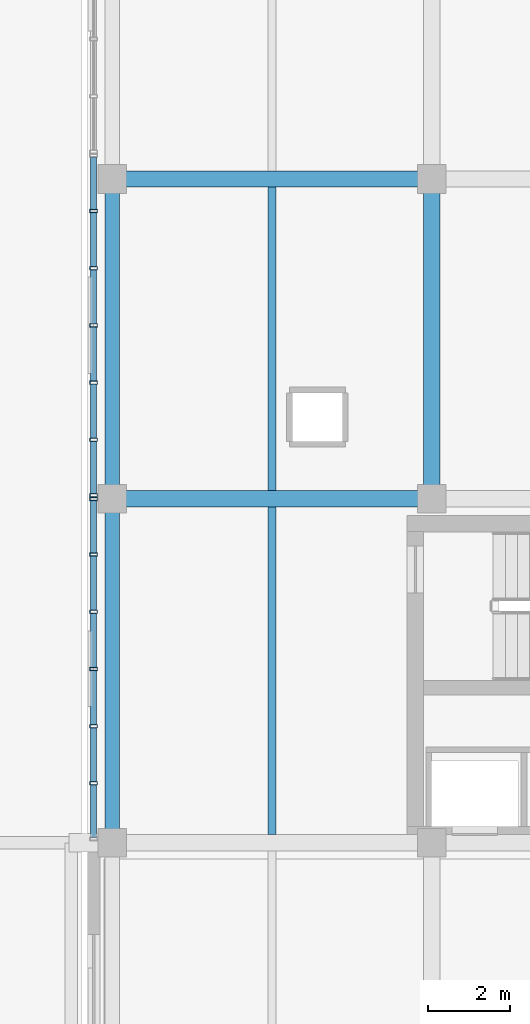
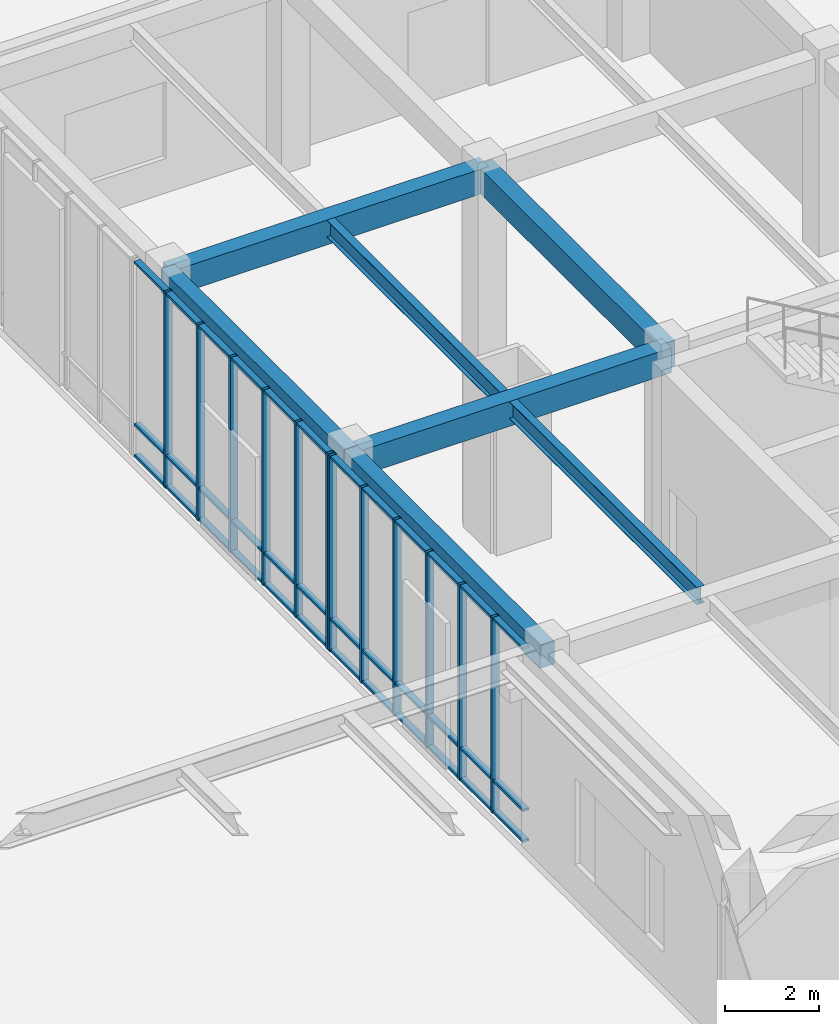
# One storey, part 60 of 122: 48 members, 7 beams, 2 elements without a shape of their own.
"""IFC4 building model written with IfcOpenShell, lengths in metres."""

from ifc_helpers import new_model, si_unit, direction, frame, origin, origin_2d, place, context, subcontext, project, spatial, rectangle, hollow_rectangle, i_section, extrude, material, layer, layer_set, material_profile, profile_set, type_object, element, aggregate, save


model = new_model("IFC4")

# Units and contexts
model_context = context("Model", 3, precision=1e-05, world=origin(), true_north=direction((0.0, 1.0)))
body_context = subcontext(model_context, "Body", "Model", "MODEL_VIEW")
ifc_project = project(units=[si_unit("LENGTHUNIT", "METRE"), si_unit("AREAUNIT", "SQUARE_METRE"), si_unit("VOLUMEUNIT", "CUBIC_METRE"), si_unit("PLANEANGLEUNIT", "RADIAN"), si_unit("MASSUNIT", "GRAM", prefix="KILO")], contexts=[model_context])

# Site, building, storey
site_placement = place(None, origin())
site = spatial("IfcSite", under=ifc_project, at=site_placement, CompositionType="ELEMENT")
building_placement = place(site_placement, origin())
building = spatial("IfcBuilding", under=site, at=building_placement, Name="Zayran Congress Hotel", CompositionType="ELEMENT")
storey_placement = place(building_placement, origin())
storey = spatial("IfcBuildingStorey", under=building, at=storey_placement, Name="L00", CompositionType="ELEMENT", Elevation=0.0)

# Beams
ifc_material_1 = material(Name="Concrete C40/50", Category="concrete")
ifc_material_profile_1 = material_profile(ifc_material_1, rectangle(XDim=0.39990234375, YDim=0.64990234375, at=origin_2d()), Name="RC 400x650")
ifc_profile_set_1 = profile_set([ifc_material_profile_1], Name="Concrete C40/50")
beam_type_1 = type_object("IfcBeamType", Name="TP-BM-03", PredefinedType="BEAM", material=ifc_profile_set_1)
for number, where, z_axis, x_axis, name in (
    (1, (109.800048828125, 92.800048828125, 4.77490234375), (1.0, 0.0, 0.0), (0.0, 1.0, 0.0), "BM-V4-L00-1230"),
    (2, (109.800048828125, 100.60009765625, 4.77490234375), (1.0, 0.0, 0.0), (0.0, 1.0, 0.0), "BM-V4-L00-1234"),
    (3, (117.60009765625, 92.800048828125, 4.77490234375), (0.0, 1.0, 0.0), (-1.0, 0.0, 0.0), "BM-V4-L00-1254"),
):
    element("IfcBeam", number, at=place(storey_placement, frame(where, z_axis=z_axis, x_axis=x_axis)), inside=storey, type_object=beam_type_1, Name=name, PredefinedType="BEAM", context=body_context, shape_type="SweptSolid", body=[
        extrude(rectangle(XDim=0.39990234375, YDim=0.64990234375, at=origin_2d()), origin(), (0.0, 0.0, 1.0), 7.800048828125),
    ])
ifc_material_profile_2 = material_profile(ifc_material_1, rectangle(XDim=0.35009765625, YDim=0.60009765625, at=origin_2d()), Name="RC 350x600")
ifc_profile_set_2 = profile_set([ifc_material_profile_2], Name="Concrete C40/50")
beam_type_2 = type_object("IfcBeamType", Name="TP-SP-01", PredefinedType="SPANDREL", material=ifc_profile_set_2)
beam_1_placement = place(storey_placement, frame((109.800048828125, 84.39990234375, 4.800048828125), z_axis=(0.0, 1.0, 0.0), x_axis=(-1.0, 0.0, 0.0)))
element("IfcBeam", 4, at=beam_1_placement, inside=storey, type_object=beam_type_2, Name="BM-V4-L00-1247", PredefinedType="SPANDREL", context=body_context, shape_type="SweptSolid", body=[
    extrude(rectangle(XDim=0.35009765625, YDim=0.60009765625, at=origin_2d()), origin(), (0.0, 0.0, 1.0), 8.400146484375),
])
beam_2_placement = place(storey_placement, frame((109.800048828125, 92.800048828125, 4.800048828125), z_axis=(0.0, 1.0, 0.0), x_axis=(-1.0, 0.0, 0.0)))
element("IfcBeam", 5, at=beam_2_placement, inside=storey, type_object=beam_type_2, Name="BM-V4-L00-1248", PredefinedType="SPANDREL", context=body_context, shape_type="SweptSolid", body=[
    extrude(rectangle(XDim=0.35009765625, YDim=0.60009765625, at=origin_2d()), origin(), (0.0, 0.0, 1.0), 7.800048828125),
])
ifc_material_2 = material(Name="Steel S355", Category="steel")
ifc_material_profile_3 = material_profile(ifc_material_2, i_section(OverallWidth=0.18994140625, OverallDepth=0.449951171875, WebThickness=0.009521484375, FlangeThickness=0.0146484375, at=origin_2d()), Name="IPE 450")
ifc_profile_set_3 = profile_set([ifc_material_profile_3], Name="Steel S355")
beam_type_3 = type_object("IfcBeamType", Name="TP-JS-02", PredefinedType="JOIST", material=ifc_profile_set_3)
beam_3_placement = place(storey_placement, frame((113.699951171875, 84.60009765625, 4.875), z_axis=(0.0, 1.0, 0.0), x_axis=(-1.0, 0.0, 0.0)))
element("IfcBeam", 6, at=beam_3_placement, inside=storey, type_object=beam_type_3, Name="JST-V4-L00-1285", PredefinedType="JOIST", context=body_context, shape_type="SweptSolid", body=[
    extrude(i_section(OverallWidth=0.18994140625, OverallDepth=0.449951171875, WebThickness=0.009521484375, FlangeThickness=0.0146484375, at=origin_2d()), origin(), (0.0, 0.0, 1.0), 8.0),
])
beam_4_placement = place(storey_placement, frame((113.699951171875, 93.0, 4.875), z_axis=(0.0, 1.0, 0.0), x_axis=(-1.0, 0.0, 0.0)))
element("IfcBeam", 7, at=beam_4_placement, inside=storey, type_object=beam_type_3, Name="JST-V4-L00-1286", PredefinedType="JOIST", context=body_context, shape_type="SweptSolid", body=[
    extrude(i_section(OverallWidth=0.18994140625, OverallDepth=0.449951171875, WebThickness=0.009521484375, FlangeThickness=0.0146484375, at=origin_2d()), origin(), (0.0, 0.0, 1.0), 7.39990234375),
])

# Curtain wall, members
ifc_material_3 = material(Name="Anodised aluminium and low-E insulated glass", Category="aluminium")
ifc_layer_1 = layer(ifc_material_3, 0.179931640625)
ifc_layer_set_1 = layer_set([ifc_layer_1], Name="Anodised aluminium and low-E insulated glass")
curtain_wall_type_1 = type_object("IfcCurtainWallType", Name="CW-V4W-L00-CW-53-8376-5100", PredefinedType="USERDEFINED", material=ifc_layer_set_1)
curtain_wall_1_placement = place(storey_placement, origin())
curtain_wall_1 = element("IfcCurtainWall", 8, at=curtain_wall_1_placement, inside=storey, type_object=curtain_wall_type_1, Name="CW-V4W-L00-5", ObjectType="CURTAIN WALL", PredefinedType="USERDEFINED")
ifc_material_4 = material(Name="Anodised aluminium framing", Category="aluminium")
ifc_material_profile_4 = material_profile(ifc_material_4, hollow_rectangle(XDim=0.080078125, YDim=0.179931640625, WallThickness=0.0048828125, at=origin_2d()), Name="RHS 180x80x5")
ifc_profile_set_4 = profile_set([ifc_material_profile_4], Name="Anodised aluminium framing")
member_type_1 = type_object("IfcMemberType", Name="TP-CWM-01", PredefinedType="MULLION", material=ifc_profile_set_4)
member_1_placement = place(storey_placement, frame((109.35009765625, 92.7919921875, 0.0), z_axis=(0.0, 0.0, 1.0), x_axis=(0.0, 1.0, 0.0)))
member_1 = element("IfcMember", 9, at=member_1_placement, type_object=member_type_1, Name="CW-V4W-L00-5-M00", PredefinedType="MULLION", context=body_context, shape_type="SweptSolid", body=[
    extrude(hollow_rectangle(XDim=0.080078125, YDim=0.179931640625, WallThickness=0.0048828125, at=origin_2d()), origin(), (0.0, 0.0, 1.0), 5.10009765625),
])
member_2_placement = place(storey_placement, frame((109.35009765625, 91.43603515625, 0.0), z_axis=(0.0, 0.0, 1.0), x_axis=(0.0, 1.0, 0.0)))
member_2 = element("IfcMember", 10, at=member_2_placement, type_object=member_type_1, Name="CW-V4W-L00-5-M01", PredefinedType="MULLION", context=body_context, shape_type="SweptSolid", body=[
    extrude(hollow_rectangle(XDim=0.080078125, YDim=0.179931640625, WallThickness=0.0048828125, at=origin_2d()), origin(), (0.0, 0.0, 1.0), 5.10009765625),
])
member_3_placement = place(storey_placement, frame((109.35009765625, 90.0400390625, 0.0), z_axis=(0.0, 0.0, 1.0), x_axis=(0.0, 1.0, 0.0)))
member_3 = element("IfcMember", 11, at=member_3_placement, type_object=member_type_1, Name="CW-V4W-L00-5-M02", PredefinedType="MULLION", context=body_context, shape_type="SweptSolid", body=[
    extrude(hollow_rectangle(XDim=0.080078125, YDim=0.179931640625, WallThickness=0.0048828125, at=origin_2d()), origin(), (0.0, 0.0, 1.0), 5.10009765625),
])
member_4_placement = place(storey_placement, frame((109.35009765625, 88.64404296875, 0.0), z_axis=(0.0, 0.0, 1.0), x_axis=(0.0, 1.0, 0.0)))
member_4 = element("IfcMember", 12, at=member_4_placement, type_object=member_type_1, Name="CW-V4W-L00-5-M03", PredefinedType="MULLION", context=body_context, shape_type="SweptSolid", body=[
    extrude(hollow_rectangle(XDim=0.080078125, YDim=0.179931640625, WallThickness=0.0048828125, at=origin_2d()), origin(), (0.0, 0.0, 1.0), 5.10009765625),
])
member_5_placement = place(storey_placement, frame((109.35009765625, 87.248046875, 0.0), z_axis=(0.0, 0.0, 1.0), x_axis=(0.0, 1.0, 0.0)))
member_5 = element("IfcMember", 13, at=member_5_placement, type_object=member_type_1, Name="CW-V4W-L00-5-M04", PredefinedType="MULLION", context=body_context, shape_type="SweptSolid", body=[
    extrude(hollow_rectangle(XDim=0.080078125, YDim=0.179931640625, WallThickness=0.0048828125, at=origin_2d()), origin(), (0.0, 0.0, 1.0), 5.10009765625),
])
member_6_placement = place(storey_placement, frame((109.35009765625, 85.85205078125, 0.0), z_axis=(0.0, 0.0, 1.0), x_axis=(0.0, 1.0, 0.0)))
member_6 = element("IfcMember", 14, at=member_6_placement, type_object=member_type_1, Name="CW-V4W-L00-5-M05", PredefinedType="MULLION", context=body_context, shape_type="SweptSolid", body=[
    extrude(hollow_rectangle(XDim=0.080078125, YDim=0.179931640625, WallThickness=0.0048828125, at=origin_2d()), origin(), (0.0, 0.0, 1.0), 5.10009765625),
])

ifc_layer_2 = layer(ifc_material_3, 0.179931640625)
ifc_layer_set_2 = layer_set([ifc_layer_2], Name="Anodised aluminium and low-E insulated glass")
curtain_wall_type_2 = type_object("IfcCurtainWallType", Name="CW-V4W-L00-CW-51-8372-5100", PredefinedType="USERDEFINED", material=ifc_layer_set_2)
curtain_wall_2_placement = place(storey_placement, origin())
curtain_wall_2 = element("IfcCurtainWall", 15, at=curtain_wall_2_placement, inside=storey, type_object=curtain_wall_type_2, Name="CW-V4W-L00-6", ObjectType="CURTAIN WALL", PredefinedType="USERDEFINED")
member_7_placement = place(storey_placement, frame((109.35009765625, 99.818603515625, 0.0), z_axis=(0.0, 0.0, 1.0), x_axis=(0.0, 1.0, 0.0)))
member_7 = element("IfcMember", 16, at=member_7_placement, type_object=member_type_1, Name="CW-V4W-L00-6-M01", PredefinedType="MULLION", context=body_context, shape_type="SweptSolid", body=[
    extrude(hollow_rectangle(XDim=0.080078125, YDim=0.179931640625, WallThickness=0.0048828125, at=origin_2d()), origin(), (0.0, 0.0, 1.0), 5.10009765625),
])
member_8_placement = place(storey_placement, frame((109.35009765625, 98.42333984375, 0.0), z_axis=(0.0, 0.0, 1.0), x_axis=(0.0, 1.0, 0.0)))
member_8 = element("IfcMember", 17, at=member_8_placement, type_object=member_type_1, Name="CW-V4W-L00-6-M02", PredefinedType="MULLION", context=body_context, shape_type="SweptSolid", body=[
    extrude(hollow_rectangle(XDim=0.080078125, YDim=0.179931640625, WallThickness=0.0048828125, at=origin_2d()), origin(), (0.0, 0.0, 1.0), 5.10009765625),
])
member_9_placement = place(storey_placement, frame((109.35009765625, 97.028076171875, 0.0), z_axis=(0.0, 0.0, 1.0), x_axis=(0.0, 1.0, 0.0)))
member_9 = element("IfcMember", 18, at=member_9_placement, type_object=member_type_1, Name="CW-V4W-L00-6-M03", PredefinedType="MULLION", context=body_context, shape_type="SweptSolid", body=[
    extrude(hollow_rectangle(XDim=0.080078125, YDim=0.179931640625, WallThickness=0.0048828125, at=origin_2d()), origin(), (0.0, 0.0, 1.0), 5.10009765625),
])
member_10_placement = place(storey_placement, frame((109.35009765625, 95.6328125, 0.0), z_axis=(0.0, 0.0, 1.0), x_axis=(0.0, 1.0, 0.0)))
member_10 = element("IfcMember", 19, at=member_10_placement, type_object=member_type_1, Name="CW-V4W-L00-6-M04", PredefinedType="MULLION", context=body_context, shape_type="SweptSolid", body=[
    extrude(hollow_rectangle(XDim=0.080078125, YDim=0.179931640625, WallThickness=0.0048828125, at=origin_2d()), origin(), (0.0, 0.0, 1.0), 5.10009765625),
])
member_11_placement = place(storey_placement, frame((109.35009765625, 94.2373046875, 0.0), z_axis=(0.0, 0.0, 1.0), x_axis=(0.0, 1.0, 0.0)))
member_11 = element("IfcMember", 20, at=member_11_placement, type_object=member_type_1, Name="CW-V4W-L00-6-M05", PredefinedType="MULLION", context=body_context, shape_type="SweptSolid", body=[
    extrude(hollow_rectangle(XDim=0.080078125, YDim=0.179931640625, WallThickness=0.0048828125, at=origin_2d()), origin(), (0.0, 0.0, 1.0), 5.10009765625),
])
member_12_placement = place(storey_placement, frame((109.35009765625, 92.882080078125, 0.0), z_axis=(0.0, 0.0, 1.0), x_axis=(0.0, 1.0, 0.0)))
member_12 = element("IfcMember", 21, at=member_12_placement, type_object=member_type_1, Name="CW-V4W-L00-6-M06", PredefinedType="MULLION", context=body_context, shape_type="SweptSolid", body=[
    extrude(hollow_rectangle(XDim=0.080078125, YDim=0.179931640625, WallThickness=0.0048828125, at=origin_2d()), origin(), (0.0, 0.0, 1.0), 5.10009765625),
])

# Member
ifc_material_profile_5 = material_profile(ifc_material_4, hollow_rectangle(XDim=0.06005859375, YDim=0.14990234375, WallThickness=0.00390625, at=origin_2d()), Name="RHS 150x60x4")
ifc_profile_set_5 = profile_set([ifc_material_profile_5], Name="Anodised aluminium framing")
member_type_2 = type_object("IfcMemberType", Name="TP-CWT-01", PredefinedType="USERDEFINED", material=ifc_profile_set_5)
member_13_placement = place(storey_placement, frame((109.35009765625, 92.751953125, 0.030029296875), z_axis=(0.0, -1.0, 0.0), x_axis=(0.0, 0.0, 1.0)))
member_13 = element("IfcMember", 22, at=member_13_placement, type_object=member_type_2, Name="CW-V4W-L00-5-T00-0", ObjectType="TRANSOM", PredefinedType="USERDEFINED", context=body_context, shape_type="SweptSolid", body=[
    extrude(hollow_rectangle(XDim=0.06005859375, YDim=0.14990234375, WallThickness=0.00390625, at=origin_2d()), origin(), (0.0, 0.0, 1.0), 1.27587890625),
])

member_14_placement = place(storey_placement, frame((109.35009765625, 92.751953125, 0.840087890625), z_axis=(0.0, -1.0, 0.0), x_axis=(0.0, 0.0, 1.0)))
member_14 = element("IfcMember", 23, at=member_14_placement, type_object=member_type_2, Name="CW-V4W-L00-5-T00-1", ObjectType="TRANSOM", PredefinedType="USERDEFINED", context=body_context, shape_type="SweptSolid", body=[
    extrude(hollow_rectangle(XDim=0.06005859375, YDim=0.14990234375, WallThickness=0.00390625, at=origin_2d()), origin(), (0.0, 0.0, 1.0), 1.27587890625),
])

member_15_placement = place(storey_placement, frame((109.35009765625, 92.751953125, 5.070068359375), z_axis=(0.0, -1.0, 0.0), x_axis=(0.0, 0.0, 1.0)))
member_15 = element("IfcMember", 24, at=member_15_placement, type_object=member_type_2, Name="CW-V4W-L00-5-T00-2", ObjectType="TRANSOM", PredefinedType="USERDEFINED", context=body_context, shape_type="SweptSolid", body=[
    extrude(hollow_rectangle(XDim=0.06005859375, YDim=0.14990234375, WallThickness=0.00390625, at=origin_2d()), origin(), (0.0, 0.0, 1.0), 1.27587890625),
])

member_16_placement = place(storey_placement, frame((109.35009765625, 91.39599609375, 0.030029296875), z_axis=(0.0, -1.0, 0.0), x_axis=(0.0, 0.0, 1.0)))
member_16 = element("IfcMember", 25, at=member_16_placement, type_object=member_type_2, Name="CW-V4W-L00-5-T01-0", ObjectType="TRANSOM", PredefinedType="USERDEFINED", context=body_context, shape_type="SweptSolid", body=[
    extrude(hollow_rectangle(XDim=0.06005859375, YDim=0.14990234375, WallThickness=0.00390625, at=origin_2d()), origin(), (0.0, 0.0, 1.0), 1.31591796875),
])

member_17_placement = place(storey_placement, frame((109.35009765625, 91.39599609375, 0.840087890625), z_axis=(0.0, -1.0, 0.0), x_axis=(0.0, 0.0, 1.0)))
member_17 = element("IfcMember", 26, at=member_17_placement, type_object=member_type_2, Name="CW-V4W-L00-5-T01-1", ObjectType="TRANSOM", PredefinedType="USERDEFINED", context=body_context, shape_type="SweptSolid", body=[
    extrude(hollow_rectangle(XDim=0.06005859375, YDim=0.14990234375, WallThickness=0.00390625, at=origin_2d()), origin(), (0.0, 0.0, 1.0), 1.31591796875),
])

member_18_placement = place(storey_placement, frame((109.35009765625, 91.39599609375, 5.070068359375), z_axis=(0.0, -1.0, 0.0), x_axis=(0.0, 0.0, 1.0)))
member_18 = element("IfcMember", 27, at=member_18_placement, type_object=member_type_2, Name="CW-V4W-L00-5-T01-2", ObjectType="TRANSOM", PredefinedType="USERDEFINED", context=body_context, shape_type="SweptSolid", body=[
    extrude(hollow_rectangle(XDim=0.06005859375, YDim=0.14990234375, WallThickness=0.00390625, at=origin_2d()), origin(), (0.0, 0.0, 1.0), 1.31591796875),
])

member_19_placement = place(storey_placement, frame((109.35009765625, 90.0, 0.030029296875), z_axis=(0.0, -1.0, 0.0), x_axis=(0.0, 0.0, 1.0)))
member_19 = element("IfcMember", 28, at=member_19_placement, type_object=member_type_2, Name="CW-V4W-L00-5-T02-0", ObjectType="TRANSOM", PredefinedType="USERDEFINED", context=body_context, shape_type="SweptSolid", body=[
    extrude(hollow_rectangle(XDim=0.06005859375, YDim=0.14990234375, WallThickness=0.00390625, at=origin_2d()), origin(), (0.0, 0.0, 1.0), 1.31591796875),
])

member_20_placement = place(storey_placement, frame((109.35009765625, 90.0, 0.840087890625), z_axis=(0.0, -1.0, 0.0), x_axis=(0.0, 0.0, 1.0)))
member_20 = element("IfcMember", 29, at=member_20_placement, type_object=member_type_2, Name="CW-V4W-L00-5-T02-1", ObjectType="TRANSOM", PredefinedType="USERDEFINED", context=body_context, shape_type="SweptSolid", body=[
    extrude(hollow_rectangle(XDim=0.06005859375, YDim=0.14990234375, WallThickness=0.00390625, at=origin_2d()), origin(), (0.0, 0.0, 1.0), 1.31591796875),
])

member_21_placement = place(storey_placement, frame((109.35009765625, 90.0, 5.070068359375), z_axis=(0.0, -1.0, 0.0), x_axis=(0.0, 0.0, 1.0)))
member_21 = element("IfcMember", 30, at=member_21_placement, type_object=member_type_2, Name="CW-V4W-L00-5-T02-2", ObjectType="TRANSOM", PredefinedType="USERDEFINED", context=body_context, shape_type="SweptSolid", body=[
    extrude(hollow_rectangle(XDim=0.06005859375, YDim=0.14990234375, WallThickness=0.00390625, at=origin_2d()), origin(), (0.0, 0.0, 1.0), 1.31591796875),
])

member_22_placement = place(storey_placement, frame((109.35009765625, 88.60400390625, 0.030029296875), z_axis=(0.0, -1.0, 0.0), x_axis=(0.0, 0.0, 1.0)))
member_22 = element("IfcMember", 31, at=member_22_placement, type_object=member_type_2, Name="CW-V4W-L00-5-T03-0", ObjectType="TRANSOM", PredefinedType="USERDEFINED", context=body_context, shape_type="SweptSolid", body=[
    extrude(hollow_rectangle(XDim=0.06005859375, YDim=0.14990234375, WallThickness=0.00390625, at=origin_2d()), origin(), (0.0, 0.0, 1.0), 1.31591796875),
])

member_23_placement = place(storey_placement, frame((109.35009765625, 88.60400390625, 0.840087890625), z_axis=(0.0, -1.0, 0.0), x_axis=(0.0, 0.0, 1.0)))
member_23 = element("IfcMember", 32, at=member_23_placement, type_object=member_type_2, Name="CW-V4W-L00-5-T03-1", ObjectType="TRANSOM", PredefinedType="USERDEFINED", context=body_context, shape_type="SweptSolid", body=[
    extrude(hollow_rectangle(XDim=0.06005859375, YDim=0.14990234375, WallThickness=0.00390625, at=origin_2d()), origin(), (0.0, 0.0, 1.0), 1.31591796875),
])

member_24_placement = place(storey_placement, frame((109.35009765625, 88.60400390625, 5.070068359375), z_axis=(0.0, -1.0, 0.0), x_axis=(0.0, 0.0, 1.0)))
member_24 = element("IfcMember", 33, at=member_24_placement, type_object=member_type_2, Name="CW-V4W-L00-5-T03-2", ObjectType="TRANSOM", PredefinedType="USERDEFINED", context=body_context, shape_type="SweptSolid", body=[
    extrude(hollow_rectangle(XDim=0.06005859375, YDim=0.14990234375, WallThickness=0.00390625, at=origin_2d()), origin(), (0.0, 0.0, 1.0), 1.31591796875),
])

member_25_placement = place(storey_placement, frame((109.35009765625, 87.2080078125, 0.030029296875), z_axis=(0.0, -1.0, 0.0), x_axis=(0.0, 0.0, 1.0)))
member_25 = element("IfcMember", 34, at=member_25_placement, type_object=member_type_2, Name="CW-V4W-L00-5-T04-0", ObjectType="TRANSOM", PredefinedType="USERDEFINED", context=body_context, shape_type="SweptSolid", body=[
    extrude(hollow_rectangle(XDim=0.06005859375, YDim=0.14990234375, WallThickness=0.00390625, at=origin_2d()), origin(), (0.0, 0.0, 1.0), 1.31591796875),
])

member_26_placement = place(storey_placement, frame((109.35009765625, 87.2080078125, 0.840087890625), z_axis=(0.0, -1.0, 0.0), x_axis=(0.0, 0.0, 1.0)))
member_26 = element("IfcMember", 35, at=member_26_placement, type_object=member_type_2, Name="CW-V4W-L00-5-T04-1", ObjectType="TRANSOM", PredefinedType="USERDEFINED", context=body_context, shape_type="SweptSolid", body=[
    extrude(hollow_rectangle(XDim=0.06005859375, YDim=0.14990234375, WallThickness=0.00390625, at=origin_2d()), origin(), (0.0, 0.0, 1.0), 1.31591796875),
])

member_27_placement = place(storey_placement, frame((109.35009765625, 87.2080078125, 5.070068359375), z_axis=(0.0, -1.0, 0.0), x_axis=(0.0, 0.0, 1.0)))
member_27 = element("IfcMember", 36, at=member_27_placement, type_object=member_type_2, Name="CW-V4W-L00-5-T04-2", ObjectType="TRANSOM", PredefinedType="USERDEFINED", context=body_context, shape_type="SweptSolid", body=[
    extrude(hollow_rectangle(XDim=0.06005859375, YDim=0.14990234375, WallThickness=0.00390625, at=origin_2d()), origin(), (0.0, 0.0, 1.0), 1.31591796875),
])

member_28_placement = place(storey_placement, frame((109.35009765625, 85.81201171875, 0.030029296875), z_axis=(0.0, -1.0, 0.0), x_axis=(0.0, 0.0, 1.0)))
member_28 = element("IfcMember", 37, at=member_28_placement, type_object=member_type_2, Name="CW-V4W-L00-5-T05-0", ObjectType="TRANSOM", PredefinedType="USERDEFINED", context=body_context, shape_type="SweptSolid", body=[
    extrude(hollow_rectangle(XDim=0.06005859375, YDim=0.14990234375, WallThickness=0.00390625, at=origin_2d()), origin(), (0.0, 0.0, 1.0), 1.276123046875),
])

member_29_placement = place(storey_placement, frame((109.35009765625, 85.81201171875, 0.840087890625), z_axis=(0.0, -1.0, 0.0), x_axis=(0.0, 0.0, 1.0)))
member_29 = element("IfcMember", 38, at=member_29_placement, type_object=member_type_2, Name="CW-V4W-L00-5-T05-1", ObjectType="TRANSOM", PredefinedType="USERDEFINED", context=body_context, shape_type="SweptSolid", body=[
    extrude(hollow_rectangle(XDim=0.06005859375, YDim=0.14990234375, WallThickness=0.00390625, at=origin_2d()), origin(), (0.0, 0.0, 1.0), 1.276123046875),
])

member_30_placement = place(storey_placement, frame((109.35009765625, 85.81201171875, 5.070068359375), z_axis=(0.0, -1.0, 0.0), x_axis=(0.0, 0.0, 1.0)))
member_30 = element("IfcMember", 39, at=member_30_placement, type_object=member_type_2, Name="CW-V4W-L00-5-T05-2", ObjectType="TRANSOM", PredefinedType="USERDEFINED", context=body_context, shape_type="SweptSolid", body=[
    extrude(hollow_rectangle(XDim=0.06005859375, YDim=0.14990234375, WallThickness=0.00390625, at=origin_2d()), origin(), (0.0, 0.0, 1.0), 1.276123046875),
])

aggregate(curtain_wall_1, [member_1, member_2, member_3, member_4, member_5, member_6, member_13, member_14, member_15, member_16, member_17, member_18, member_19, member_20, member_21, member_22, member_23, member_24, member_25, member_26, member_27, member_28, member_29, member_30])

member_31_placement = place(storey_placement, frame((109.35009765625, 101.134033203125, 0.030029296875), z_axis=(0.0, -1.0, 0.0), x_axis=(0.0, 0.0, 1.0)))
member_31 = element("IfcMember", 40, at=member_31_placement, type_object=member_type_2, Name="CW-V4W-L00-6-T00-0", ObjectType="TRANSOM", PredefinedType="USERDEFINED", context=body_context, shape_type="SweptSolid", body=[
    extrude(hollow_rectangle(XDim=0.06005859375, YDim=0.14990234375, WallThickness=0.00390625, at=origin_2d()), origin(), (0.0, 0.0, 1.0), 1.275390625),
])

member_32_placement = place(storey_placement, frame((109.35009765625, 101.134033203125, 0.840087890625), z_axis=(0.0, -1.0, 0.0), x_axis=(0.0, 0.0, 1.0)))
member_32 = element("IfcMember", 41, at=member_32_placement, type_object=member_type_2, Name="CW-V4W-L00-6-T00-1", ObjectType="TRANSOM", PredefinedType="USERDEFINED", context=body_context, shape_type="SweptSolid", body=[
    extrude(hollow_rectangle(XDim=0.06005859375, YDim=0.14990234375, WallThickness=0.00390625, at=origin_2d()), origin(), (0.0, 0.0, 1.0), 1.275390625),
])

member_33_placement = place(storey_placement, frame((109.35009765625, 101.134033203125, 5.070068359375), z_axis=(0.0, -1.0, 0.0), x_axis=(0.0, 0.0, 1.0)))
member_33 = element("IfcMember", 42, at=member_33_placement, type_object=member_type_2, Name="CW-V4W-L00-6-T00-2", ObjectType="TRANSOM", PredefinedType="USERDEFINED", context=body_context, shape_type="SweptSolid", body=[
    extrude(hollow_rectangle(XDim=0.06005859375, YDim=0.14990234375, WallThickness=0.00390625, at=origin_2d()), origin(), (0.0, 0.0, 1.0), 1.275390625),
])

member_34_placement = place(storey_placement, frame((109.35009765625, 99.77880859375, 0.030029296875), z_axis=(0.0, -1.0, 0.0), x_axis=(0.0, 0.0, 1.0)))
member_34 = element("IfcMember", 43, at=member_34_placement, type_object=member_type_2, Name="CW-V4W-L00-6-T01-0", ObjectType="TRANSOM", PredefinedType="USERDEFINED", context=body_context, shape_type="SweptSolid", body=[
    extrude(hollow_rectangle(XDim=0.06005859375, YDim=0.14990234375, WallThickness=0.00390625, at=origin_2d()), origin(), (0.0, 0.0, 1.0), 1.3154296875),
])

member_35_placement = place(storey_placement, frame((109.35009765625, 99.77880859375, 0.840087890625), z_axis=(0.0, -1.0, 0.0), x_axis=(0.0, 0.0, 1.0)))
member_35 = element("IfcMember", 44, at=member_35_placement, type_object=member_type_2, Name="CW-V4W-L00-6-T01-1", ObjectType="TRANSOM", PredefinedType="USERDEFINED", context=body_context, shape_type="SweptSolid", body=[
    extrude(hollow_rectangle(XDim=0.06005859375, YDim=0.14990234375, WallThickness=0.00390625, at=origin_2d()), origin(), (0.0, 0.0, 1.0), 1.3154296875),
])

member_36_placement = place(storey_placement, frame((109.35009765625, 99.77880859375, 5.070068359375), z_axis=(0.0, -1.0, 0.0), x_axis=(0.0, 0.0, 1.0)))
member_36 = element("IfcMember", 45, at=member_36_placement, type_object=member_type_2, Name="CW-V4W-L00-6-T01-2", ObjectType="TRANSOM", PredefinedType="USERDEFINED", context=body_context, shape_type="SweptSolid", body=[
    extrude(hollow_rectangle(XDim=0.06005859375, YDim=0.14990234375, WallThickness=0.00390625, at=origin_2d()), origin(), (0.0, 0.0, 1.0), 1.3154296875),
])

member_37_placement = place(storey_placement, frame((109.35009765625, 98.38330078125, 0.030029296875), z_axis=(0.0, -1.0, 0.0), x_axis=(0.0, 0.0, 1.0)))
member_37 = element("IfcMember", 46, at=member_37_placement, type_object=member_type_2, Name="CW-V4W-L00-6-T02-0", ObjectType="TRANSOM", PredefinedType="USERDEFINED", context=body_context, shape_type="SweptSolid", body=[
    extrude(hollow_rectangle(XDim=0.06005859375, YDim=0.14990234375, WallThickness=0.00390625, at=origin_2d()), origin(), (0.0, 0.0, 1.0), 1.315185546875),
])

member_38_placement = place(storey_placement, frame((109.35009765625, 98.38330078125, 0.840087890625), z_axis=(0.0, -1.0, 0.0), x_axis=(0.0, 0.0, 1.0)))
member_38 = element("IfcMember", 47, at=member_38_placement, type_object=member_type_2, Name="CW-V4W-L00-6-T02-1", ObjectType="TRANSOM", PredefinedType="USERDEFINED", context=body_context, shape_type="SweptSolid", body=[
    extrude(hollow_rectangle(XDim=0.06005859375, YDim=0.14990234375, WallThickness=0.00390625, at=origin_2d()), origin(), (0.0, 0.0, 1.0), 1.315185546875),
])

member_39_placement = place(storey_placement, frame((109.35009765625, 98.38330078125, 5.070068359375), z_axis=(0.0, -1.0, 0.0), x_axis=(0.0, 0.0, 1.0)))
member_39 = element("IfcMember", 48, at=member_39_placement, type_object=member_type_2, Name="CW-V4W-L00-6-T02-2", ObjectType="TRANSOM", PredefinedType="USERDEFINED", context=body_context, shape_type="SweptSolid", body=[
    extrude(hollow_rectangle(XDim=0.06005859375, YDim=0.14990234375, WallThickness=0.00390625, at=origin_2d()), origin(), (0.0, 0.0, 1.0), 1.315185546875),
])

member_40_placement = place(storey_placement, frame((109.35009765625, 96.988037109375, 0.030029296875), z_axis=(0.0, -1.0, 0.0), x_axis=(0.0, 0.0, 1.0)))
member_40 = element("IfcMember", 49, at=member_40_placement, type_object=member_type_2, Name="CW-V4W-L00-6-T03-0", ObjectType="TRANSOM", PredefinedType="USERDEFINED", context=body_context, shape_type="SweptSolid", body=[
    extrude(hollow_rectangle(XDim=0.06005859375, YDim=0.14990234375, WallThickness=0.00390625, at=origin_2d()), origin(), (0.0, 0.0, 1.0), 1.3154296875),
])

member_41_placement = place(storey_placement, frame((109.35009765625, 96.988037109375, 0.840087890625), z_axis=(0.0, -1.0, 0.0), x_axis=(0.0, 0.0, 1.0)))
member_41 = element("IfcMember", 50, at=member_41_placement, type_object=member_type_2, Name="CW-V4W-L00-6-T03-1", ObjectType="TRANSOM", PredefinedType="USERDEFINED", context=body_context, shape_type="SweptSolid", body=[
    extrude(hollow_rectangle(XDim=0.06005859375, YDim=0.14990234375, WallThickness=0.00390625, at=origin_2d()), origin(), (0.0, 0.0, 1.0), 1.3154296875),
])

member_42_placement = place(storey_placement, frame((109.35009765625, 96.988037109375, 5.070068359375), z_axis=(0.0, -1.0, 0.0), x_axis=(0.0, 0.0, 1.0)))
member_42 = element("IfcMember", 51, at=member_42_placement, type_object=member_type_2, Name="CW-V4W-L00-6-T03-2", ObjectType="TRANSOM", PredefinedType="USERDEFINED", context=body_context, shape_type="SweptSolid", body=[
    extrude(hollow_rectangle(XDim=0.06005859375, YDim=0.14990234375, WallThickness=0.00390625, at=origin_2d()), origin(), (0.0, 0.0, 1.0), 1.3154296875),
])

member_43_placement = place(storey_placement, frame((109.35009765625, 95.5927734375, 0.030029296875), z_axis=(0.0, -1.0, 0.0), x_axis=(0.0, 0.0, 1.0)))
member_43 = element("IfcMember", 52, at=member_43_placement, type_object=member_type_2, Name="CW-V4W-L00-6-T04-0", ObjectType="TRANSOM", PredefinedType="USERDEFINED", context=body_context, shape_type="SweptSolid", body=[
    extrude(hollow_rectangle(XDim=0.06005859375, YDim=0.14990234375, WallThickness=0.00390625, at=origin_2d()), origin(), (0.0, 0.0, 1.0), 1.3154296875),
])

member_44_placement = place(storey_placement, frame((109.35009765625, 95.5927734375, 0.840087890625), z_axis=(0.0, -1.0, 0.0), x_axis=(0.0, 0.0, 1.0)))
member_44 = element("IfcMember", 53, at=member_44_placement, type_object=member_type_2, Name="CW-V4W-L00-6-T04-1", ObjectType="TRANSOM", PredefinedType="USERDEFINED", context=body_context, shape_type="SweptSolid", body=[
    extrude(hollow_rectangle(XDim=0.06005859375, YDim=0.14990234375, WallThickness=0.00390625, at=origin_2d()), origin(), (0.0, 0.0, 1.0), 1.3154296875),
])

member_45_placement = place(storey_placement, frame((109.35009765625, 95.5927734375, 5.070068359375), z_axis=(0.0, -1.0, 0.0), x_axis=(0.0, 0.0, 1.0)))
member_45 = element("IfcMember", 54, at=member_45_placement, type_object=member_type_2, Name="CW-V4W-L00-6-T04-2", ObjectType="TRANSOM", PredefinedType="USERDEFINED", context=body_context, shape_type="SweptSolid", body=[
    extrude(hollow_rectangle(XDim=0.06005859375, YDim=0.14990234375, WallThickness=0.00390625, at=origin_2d()), origin(), (0.0, 0.0, 1.0), 1.3154296875),
])

member_46_placement = place(storey_placement, frame((109.35009765625, 94.197265625, 0.030029296875), z_axis=(0.0, -1.0, 0.0), x_axis=(0.0, 0.0, 1.0)))
member_46 = element("IfcMember", 55, at=member_46_placement, type_object=member_type_2, Name="CW-V4W-L00-6-T05-0", ObjectType="TRANSOM", PredefinedType="USERDEFINED", context=body_context, shape_type="SweptSolid", body=[
    extrude(hollow_rectangle(XDim=0.06005859375, YDim=0.14990234375, WallThickness=0.00390625, at=origin_2d()), origin(), (0.0, 0.0, 1.0), 1.275146484375),
])

member_47_placement = place(storey_placement, frame((109.35009765625, 94.197265625, 0.840087890625), z_axis=(0.0, -1.0, 0.0), x_axis=(0.0, 0.0, 1.0)))
member_47 = element("IfcMember", 56, at=member_47_placement, type_object=member_type_2, Name="CW-V4W-L00-6-T05-1", ObjectType="TRANSOM", PredefinedType="USERDEFINED", context=body_context, shape_type="SweptSolid", body=[
    extrude(hollow_rectangle(XDim=0.06005859375, YDim=0.14990234375, WallThickness=0.00390625, at=origin_2d()), origin(), (0.0, 0.0, 1.0), 1.275146484375),
])

member_48_placement = place(storey_placement, frame((109.35009765625, 94.197265625, 5.070068359375), z_axis=(0.0, -1.0, 0.0), x_axis=(0.0, 0.0, 1.0)))
member_48 = element("IfcMember", 57, at=member_48_placement, type_object=member_type_2, Name="CW-V4W-L00-6-T05-2", ObjectType="TRANSOM", PredefinedType="USERDEFINED", context=body_context, shape_type="SweptSolid", body=[
    extrude(hollow_rectangle(XDim=0.06005859375, YDim=0.14990234375, WallThickness=0.00390625, at=origin_2d()), origin(), (0.0, 0.0, 1.0), 1.275146484375),
])

aggregate(curtain_wall_2, [member_7, member_8, member_9, member_10, member_11, member_12, member_31, member_32, member_33, member_34, member_35, member_36, member_37, member_38, member_39, member_40, member_41, member_42, member_43, member_44, member_45, member_46, member_47, member_48])

save(model, "model.ifc")
